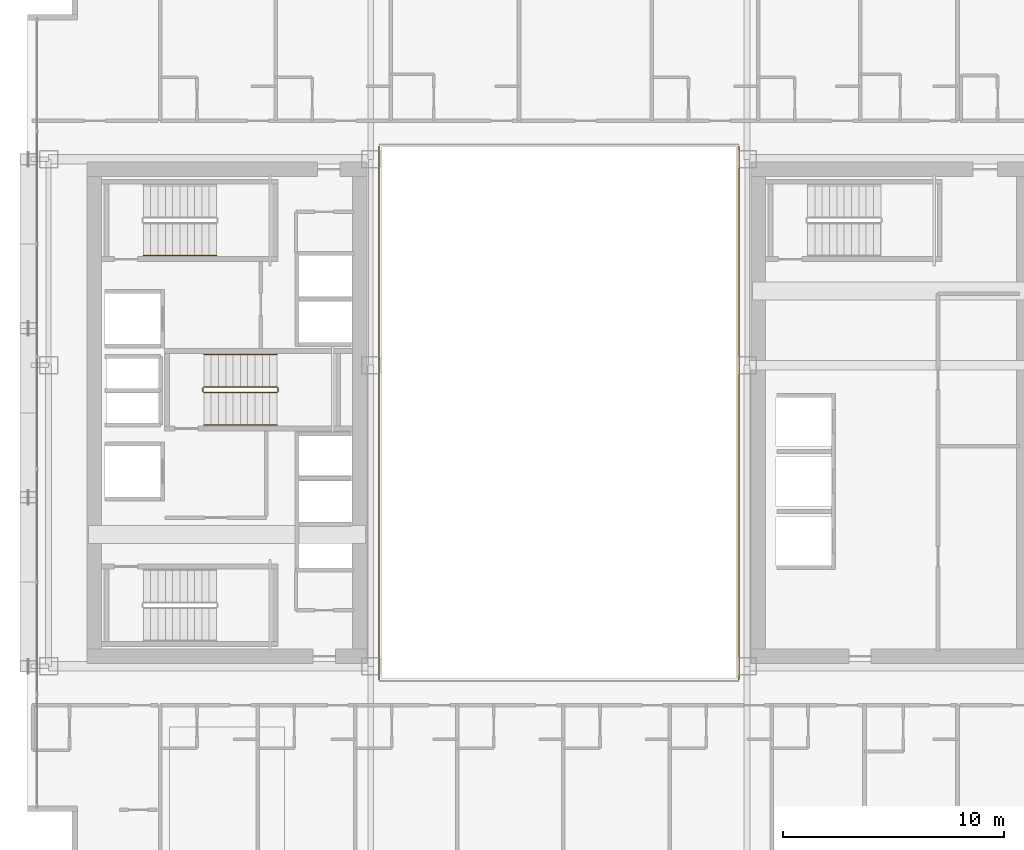
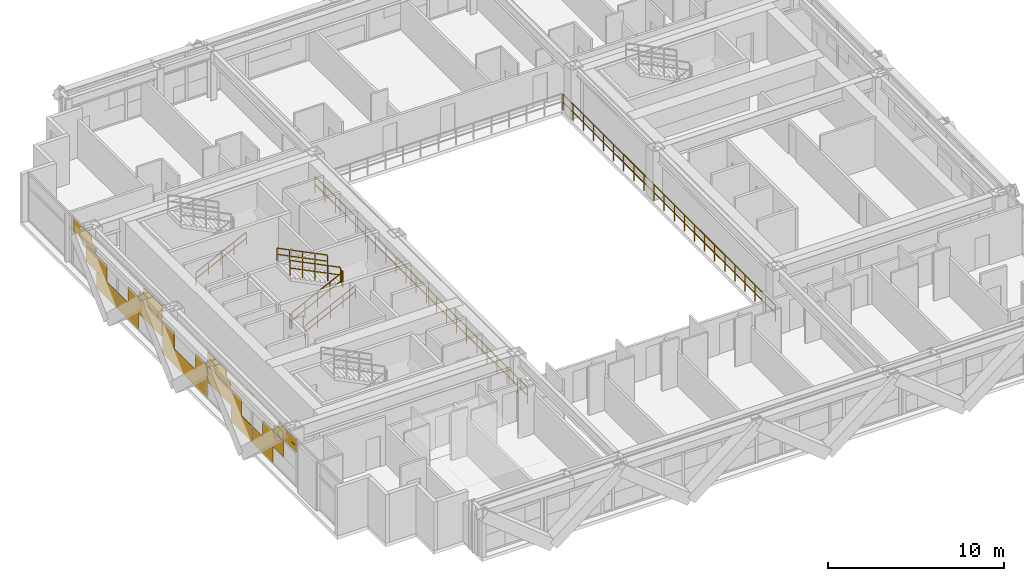
# One storey, part 33 of 35: 9 railings, 1 covering.
"""IFC4 building model written with IfcOpenShell, lengths in metres."""

from ifc_helpers import new_model, si_unit, direction, frame, origin, origin_2d, place, context, subcontext, project, spatial, rectangle, extrude, material, layer, layer_set, type_object, element, save


model = new_model("IFC4")

# Units and contexts
model_context = context("Model", 3, precision=1e-05, world=origin(), true_north=direction((0.0, 1.0)))
body_context = subcontext(model_context, "Body", "Model", "MODEL_VIEW")
ifc_project = project(units=[si_unit("LENGTHUNIT", "METRE"), si_unit("AREAUNIT", "SQUARE_METRE"), si_unit("VOLUMEUNIT", "CUBIC_METRE"), si_unit("PLANEANGLEUNIT", "RADIAN"), si_unit("MASSUNIT", "GRAM", prefix="KILO")], contexts=[model_context])

# Site, building, storey
site_placement = place(None, origin())
site = spatial("IfcSite", under=ifc_project, at=site_placement, CompositionType="ELEMENT")
building_placement = place(site_placement, origin())
building = spatial("IfcBuilding", under=site, at=building_placement, Name="Ocotamira Hotel", CompositionType="ELEMENT")
storey_placement = place(building_placement, frame((0.0, 0.0, 100.800048828125)))
storey = spatial("IfcBuildingStorey", under=building, at=storey_placement, Name="L24", CompositionType="ELEMENT", Elevation=100.800048828125)

# Covering
ifc_material_1 = material(Name="Insulated pale-metal aluminium spandrel panel", Category="aluminium")
ifc_layer = layer(ifc_material_1, 0.044921875)
ifc_layer_set = layer_set([ifc_layer], Name="Insulated pale-metal aluminium spandrel panel")
covering_type = type_object("IfcCoveringType", Name="COV-INFILL-45", PredefinedType="CLADDING", material=ifc_layer_set)
covering_placement = place(storey_placement, origin())
element("IfcCovering", 1, at=covering_placement, inside=storey, type_object=covering_type, Name="L24 Curtain Wall Infill CW-3 CW-L24-W", PredefinedType="CLADDING", context=body_context, shape_type="SweptSolid", body=[
    extrude(rectangle(XDim=2.35107421875, YDim=0.044921875, at=origin_2d()), frame((8.419921875, 15.988525390625, 1.194091796875), z_axis=(0.0, 0.0, 1.0), x_axis=(0.0, 1.0, 0.0)), (0.0, 0.0, 1.0), 1.11767578125),
    extrude(rectangle(XDim=2.331787109375, YDim=0.044921875, at=origin_2d()), frame((8.419921875, 17.1650390625, 0.0751953125), z_axis=(0.0, 0.0, 1.0), x_axis=(0.0, 1.0, 0.0)), (0.0, 0.0, 1.0), 1.117919921875),
    extrude(rectangle(XDim=2.572265625, YDim=0.044921875, at=origin_2d()), frame((8.419921875, 14.6123046875, 2.38818359375), z_axis=(0.0, 0.0, 1.0), x_axis=(0.0, 1.0, 0.0)), (0.0, 0.0, 1.0), 0.413330078125),
    extrude(rectangle(XDim=5.004638671875, YDim=0.044921875, at=origin_2d()), frame((8.419921875, 15.82861328125, 2.80224609375), z_axis=(0.0, 0.0, 1.0), x_axis=(0.0, 1.0, 0.0)), (0.0, 0.0, 1.0), 0.033203125),
    extrude(rectangle(XDim=2.096435546875, YDim=0.044921875, at=origin_2d()), frame((8.419921875, 14.37451171875, 2.836669921875), z_axis=(0.0, 0.0, 1.0), x_axis=(0.0, 1.0, 0.0)), (0.0, 0.0, 1.0), 0.44775390625),
    extrude(rectangle(XDim=2.322265625, YDim=0.044921875, at=origin_2d()), frame((8.419921875, 19.572998046875, 0.0751953125), z_axis=(0.0, 0.0, 1.0), x_axis=(0.0, 1.0, 0.0)), (0.0, 0.0, 1.0), 1.117919921875),
    extrude(rectangle(XDim=3.847412109375, YDim=0.044921875, at=origin_2d()), frame((8.419921875, 21.492919921875, 1.194091796875), z_axis=(0.0, 0.0, 1.0), x_axis=(0.0, 1.0, 0.0)), (0.0, 0.0, 1.0), 1.11767578125),
    extrude(rectangle(XDim=5.004638671875, YDim=0.044921875, at=origin_2d()), frame((8.419921875, 20.914306640625, 2.80224609375), z_axis=(0.0, 0.0, 1.0), x_axis=(0.0, 1.0, 0.0)), (0.0, 0.0, 1.0), 0.033203125),
    extrude(rectangle(XDim=2.581787109375, YDim=0.044921875, at=origin_2d()), frame((8.419921875, 22.125732421875, 2.38818359375), z_axis=(0.0, 0.0, 1.0), x_axis=(0.0, 1.0, 0.0)), (0.0, 0.0, 1.0), 0.413330078125),
    extrude(rectangle(XDim=2.106201171875, YDim=0.044921875, at=origin_2d()), frame((8.419921875, 22.363525390625, 2.836669921875), z_axis=(0.0, 0.0, 1.0), x_axis=(0.0, 1.0, 0.0)), (0.0, 0.0, 1.0), 0.44775390625),
    extrude(rectangle(XDim=5.004638671875, YDim=0.044921875, at=origin_2d()), frame((8.419921875, 26.0, 0.0751953125), z_axis=(0.0, 0.0, 1.0), x_axis=(0.0, 1.0, 0.0)), (0.0, 0.0, 1.0), 1.117919921875),
    extrude(rectangle(XDim=1.2998046875, YDim=0.044921875, at=origin_2d()), frame((8.419921875, 24.1474609375, 1.194091796875), z_axis=(0.0, 0.0, 1.0), x_axis=(0.0, 1.0, 0.0)), (0.0, 0.0, 1.0), 1.11767578125),
    extrude(rectangle(XDim=1.2998046875, YDim=0.044921875, at=origin_2d()), frame((8.419921875, 27.8525390625, 1.194091796875), z_axis=(0.0, 0.0, 1.0), x_axis=(0.0, 1.0, 0.0)), (0.0, 0.0, 1.0), 1.11767578125),
    extrude(rectangle(XDim=3.847412109375, YDim=0.044921875, at=origin_2d()), frame((8.419921875, 30.507080078125, 1.194091796875), z_axis=(0.0, 0.0, 1.0), x_axis=(0.0, 1.0, 0.0)), (0.0, 0.0, 1.0), 1.11767578125),
    extrude(rectangle(XDim=2.322265625, YDim=0.044921875, at=origin_2d()), frame((8.419921875, 32.427001953125, 0.0751953125), z_axis=(0.0, 0.0, 1.0), x_axis=(0.0, 1.0, 0.0)), (0.0, 0.0, 1.0), 1.117919921875),
    extrude(rectangle(XDim=2.581787109375, YDim=0.044921875, at=origin_2d()), frame((8.419921875, 29.874267578125, 2.38818359375), z_axis=(0.0, 0.0, 1.0), x_axis=(0.0, 1.0, 0.0)), (0.0, 0.0, 1.0), 0.413330078125),
    extrude(rectangle(XDim=5.004638671875, YDim=0.044921875, at=origin_2d()), frame((8.419921875, 31.085693359375, 2.80224609375), z_axis=(0.0, 0.0, 1.0), x_axis=(0.0, 1.0, 0.0)), (0.0, 0.0, 1.0), 0.033203125),
    extrude(rectangle(XDim=2.106201171875, YDim=0.044921875, at=origin_2d()), frame((8.419921875, 29.636474609375, 2.836669921875), z_axis=(0.0, 0.0, 1.0), x_axis=(0.0, 1.0, 0.0)), (0.0, 0.0, 1.0), 0.44775390625),
    extrude(rectangle(XDim=2.331787109375, YDim=0.044921875, at=origin_2d()), frame((8.419921875, 34.8349609375, 0.0751953125), z_axis=(0.0, 0.0, 1.0), x_axis=(0.0, 1.0, 0.0)), (0.0, 0.0, 1.0), 1.117919921875),
    extrude(rectangle(XDim=2.35107421875, YDim=0.044921875, at=origin_2d()), frame((8.419921875, 36.011474609375, 1.194091796875), z_axis=(0.0, 0.0, 1.0), x_axis=(0.0, 1.0, 0.0)), (0.0, 0.0, 1.0), 1.11767578125),
    extrude(rectangle(XDim=5.004638671875, YDim=0.044921875, at=origin_2d()), frame((8.419921875, 36.17138671875, 2.80224609375), z_axis=(0.0, 0.0, 1.0), x_axis=(0.0, 1.0, 0.0)), (0.0, 0.0, 1.0), 0.033203125),
    extrude(rectangle(XDim=2.572265625, YDim=0.044921875, at=origin_2d()), frame((8.419921875, 37.3876953125, 2.38818359375), z_axis=(0.0, 0.0, 1.0), x_axis=(0.0, 1.0, 0.0)), (0.0, 0.0, 1.0), 0.413330078125),
    extrude(rectangle(XDim=2.096435546875, YDim=0.044921875, at=origin_2d()), frame((8.419921875, 37.62548828125, 2.836669921875), z_axis=(0.0, 0.0, 1.0), x_axis=(0.0, 1.0, 0.0)), (0.0, 0.0, 1.0), 0.44775390625),
])

# Railings
ifc_material_2 = material(Name="Painted steel stair guardrail", Category="steel")
railing_type_1 = type_object("IfcRailingType", Name="RL-EDGE-1150", PredefinedType="GUARDRAIL", material=ifc_material_2)
railing_1_placement = place(storey_placement, frame((40.1201171875, 13.9599609375, 0.0)))
element("IfcRailing", 2, at=railing_1_placement, inside=storey, type_object=railing_type_1, Name="L24 Central Atrium Edge Guardrail E", PredefinedType="GUARDRAIL", context=body_context, shape_type="SweptSolid", body=[
    extrude(rectangle(XDim=0.048095703125, YDim=0.048095703125, at=origin_2d()), frame((0.0, 0.0, 1.1259765625), z_axis=(0.0, 1.0, 0.0), x_axis=(-1.0, 0.0, 0.0)), (0.0, 0.0, 1.0), 24.080078125),
    extrude(rectangle(XDim=0.048095703125, YDim=0.048095703125, at=origin_2d()), frame((0.0, 0.0, 0.574951171875), z_axis=(0.0, 1.0, 0.0), x_axis=(-1.0, 0.0, 0.0)), (0.0, 0.0, 1.0), 24.080078125),
    extrude(rectangle(XDim=0.0419921875, YDim=0.0419921875, at=origin_2d()), origin(), (0.0, 0.0, 1.0), 1.101806640625),
    extrude(rectangle(XDim=0.0419921875, YDim=0.0419921875, at=origin_2d()), frame((0.0, 1.146728515625, 0.0)), (0.0, 0.0, 1.0), 1.101806640625),
    extrude(rectangle(XDim=0.0419921875, YDim=0.0419921875, at=origin_2d()), frame((0.0, 2.29345703125, 0.0)), (0.0, 0.0, 1.0), 1.101806640625),
    extrude(rectangle(XDim=0.0419921875, YDim=0.0419921875, at=origin_2d()), frame((0.0, 3.43994140625, 0.0)), (0.0, 0.0, 1.0), 1.101806640625),
    extrude(rectangle(XDim=0.0419921875, YDim=0.0419921875, at=origin_2d()), frame((0.0, 4.586669921875, 0.0)), (0.0, 0.0, 1.0), 1.101806640625),
    extrude(rectangle(XDim=0.0419921875, YDim=0.0419921875, at=origin_2d()), frame((0.0, 5.7333984375, 0.0)), (0.0, 0.0, 1.0), 1.101806640625),
    extrude(rectangle(XDim=0.0419921875, YDim=0.0419921875, at=origin_2d()), frame((0.0, 6.880126953125, 0.0)), (0.0, 0.0, 1.0), 1.101806640625),
    extrude(rectangle(XDim=0.0419921875, YDim=0.0419921875, at=origin_2d()), frame((0.0, 8.026611328125, 0.0)), (0.0, 0.0, 1.0), 1.101806640625),
    extrude(rectangle(XDim=0.0419921875, YDim=0.0419921875, at=origin_2d()), frame((0.0, 9.17333984375, 0.0)), (0.0, 0.0, 1.0), 1.101806640625),
    extrude(rectangle(XDim=0.0419921875, YDim=0.0419921875, at=origin_2d()), frame((0.0, 10.320068359375, 0.0)), (0.0, 0.0, 1.0), 1.101806640625),
    extrude(rectangle(XDim=0.0419921875, YDim=0.0419921875, at=origin_2d()), frame((0.0, 11.466796875, 0.0)), (0.0, 0.0, 1.0), 1.101806640625),
    extrude(rectangle(XDim=0.0419921875, YDim=0.0419921875, at=origin_2d()), frame((0.0, 12.61328125, 0.0)), (0.0, 0.0, 1.0), 1.101806640625),
    extrude(rectangle(XDim=0.0419921875, YDim=0.0419921875, at=origin_2d()), frame((0.0, 13.760009765625, 0.0)), (0.0, 0.0, 1.0), 1.101806640625),
    extrude(rectangle(XDim=0.0419921875, YDim=0.0419921875, at=origin_2d()), frame((0.0, 14.90673828125, 0.0)), (0.0, 0.0, 1.0), 1.101806640625),
    extrude(rectangle(XDim=0.0419921875, YDim=0.0419921875, at=origin_2d()), frame((0.0, 16.053466796875, 0.0)), (0.0, 0.0, 1.0), 1.101806640625),
    extrude(rectangle(XDim=0.0419921875, YDim=0.0419921875, at=origin_2d()), frame((0.0, 17.199951171875, 0.0)), (0.0, 0.0, 1.0), 1.101806640625),
    extrude(rectangle(XDim=0.0419921875, YDim=0.0419921875, at=origin_2d()), frame((0.0, 18.3466796875, 0.0)), (0.0, 0.0, 1.0), 1.101806640625),
    extrude(rectangle(XDim=0.0419921875, YDim=0.0419921875, at=origin_2d()), frame((0.0, 19.493408203125, 0.0)), (0.0, 0.0, 1.0), 1.101806640625),
    extrude(rectangle(XDim=0.0419921875, YDim=0.0419921875, at=origin_2d()), frame((0.0, 20.64013671875, 0.0)), (0.0, 0.0, 1.0), 1.101806640625),
    extrude(rectangle(XDim=0.0419921875, YDim=0.0419921875, at=origin_2d()), frame((0.0, 21.78662109375, 0.0)), (0.0, 0.0, 1.0), 1.101806640625),
    extrude(rectangle(XDim=0.0419921875, YDim=0.0419921875, at=origin_2d()), frame((0.0, 22.933349609375, 0.0)), (0.0, 0.0, 1.0), 1.101806640625),
    extrude(rectangle(XDim=0.0419921875, YDim=0.0419921875, at=origin_2d()), frame((0.0, 24.080078125, 0.0)), (0.0, 0.0, 1.0), 1.101806640625),
])
railing_2_placement = place(storey_placement, frame((23.8798828125, 38.0400390625, 0.0)))
element("IfcRailing", 3, at=railing_2_placement, inside=storey, type_object=railing_type_1, Name="L24 Central Atrium Edge Guardrail W", PredefinedType="GUARDRAIL", context=body_context, shape_type="SweptSolid", body=[
    extrude(rectangle(XDim=0.048095703125, YDim=0.048095703125, at=origin_2d()), frame((0.0, 0.0, 1.1259765625), z_axis=(0.0, -1.0, 0.0), x_axis=(1.0, 0.0, 0.0)), (0.0, 0.0, 1.0), 24.080078125),
    extrude(rectangle(XDim=0.048095703125, YDim=0.048095703125, at=origin_2d()), frame((0.0, 0.0, 0.574951171875), z_axis=(0.0, -1.0, 0.0), x_axis=(1.0, 0.0, 0.0)), (0.0, 0.0, 1.0), 24.080078125),
    extrude(rectangle(XDim=0.0419921875, YDim=0.0419921875, at=origin_2d()), origin(), (0.0, 0.0, 1.0), 1.101806640625),
    extrude(rectangle(XDim=0.0419921875, YDim=0.0419921875, at=origin_2d()), frame((0.0, -1.146728515625, 0.0)), (0.0, 0.0, 1.0), 1.101806640625),
    extrude(rectangle(XDim=0.0419921875, YDim=0.0419921875, at=origin_2d()), frame((0.0, -2.29345703125, 0.0)), (0.0, 0.0, 1.0), 1.101806640625),
    extrude(rectangle(XDim=0.0419921875, YDim=0.0419921875, at=origin_2d()), frame((0.0, -3.43994140625, 0.0)), (0.0, 0.0, 1.0), 1.101806640625),
    extrude(rectangle(XDim=0.0419921875, YDim=0.0419921875, at=origin_2d()), frame((0.0, -4.586669921875, 0.0)), (0.0, 0.0, 1.0), 1.101806640625),
    extrude(rectangle(XDim=0.0419921875, YDim=0.0419921875, at=origin_2d()), frame((0.0, -5.7333984375, 0.0)), (0.0, 0.0, 1.0), 1.101806640625),
    extrude(rectangle(XDim=0.0419921875, YDim=0.0419921875, at=origin_2d()), frame((0.0, -6.880126953125, 0.0)), (0.0, 0.0, 1.0), 1.101806640625),
    extrude(rectangle(XDim=0.0419921875, YDim=0.0419921875, at=origin_2d()), frame((0.0, -8.026611328125, 0.0)), (0.0, 0.0, 1.0), 1.101806640625),
    extrude(rectangle(XDim=0.0419921875, YDim=0.0419921875, at=origin_2d()), frame((0.0, -9.17333984375, 0.0)), (0.0, 0.0, 1.0), 1.101806640625),
    extrude(rectangle(XDim=0.0419921875, YDim=0.0419921875, at=origin_2d()), frame((0.0, -10.320068359375, 0.0)), (0.0, 0.0, 1.0), 1.101806640625),
    extrude(rectangle(XDim=0.0419921875, YDim=0.0419921875, at=origin_2d()), frame((0.0, -11.466796875, 0.0)), (0.0, 0.0, 1.0), 1.101806640625),
    extrude(rectangle(XDim=0.0419921875, YDim=0.0419921875, at=origin_2d()), frame((0.0, -12.61328125, 0.0)), (0.0, 0.0, 1.0), 1.101806640625),
    extrude(rectangle(XDim=0.0419921875, YDim=0.0419921875, at=origin_2d()), frame((0.0, -13.760009765625, 0.0)), (0.0, 0.0, 1.0), 1.101806640625),
    extrude(rectangle(XDim=0.0419921875, YDim=0.0419921875, at=origin_2d()), frame((0.0, -14.90673828125, 0.0)), (0.0, 0.0, 1.0), 1.101806640625),
    extrude(rectangle(XDim=0.0419921875, YDim=0.0419921875, at=origin_2d()), frame((0.0, -16.053466796875, 0.0)), (0.0, 0.0, 1.0), 1.101806640625),
    extrude(rectangle(XDim=0.0419921875, YDim=0.0419921875, at=origin_2d()), frame((0.0, -17.199951171875, 0.0)), (0.0, 0.0, 1.0), 1.101806640625),
    extrude(rectangle(XDim=0.0419921875, YDim=0.0419921875, at=origin_2d()), frame((0.0, -18.3466796875, 0.0)), (0.0, 0.0, 1.0), 1.101806640625),
    extrude(rectangle(XDim=0.0419921875, YDim=0.0419921875, at=origin_2d()), frame((0.0, -19.493408203125, 0.0)), (0.0, 0.0, 1.0), 1.101806640625),
    extrude(rectangle(XDim=0.0419921875, YDim=0.0419921875, at=origin_2d()), frame((0.0, -20.64013671875, 0.0)), (0.0, 0.0, 1.0), 1.101806640625),
    extrude(rectangle(XDim=0.0419921875, YDim=0.0419921875, at=origin_2d()), frame((0.0, -21.78662109375, 0.0)), (0.0, 0.0, 1.0), 1.101806640625),
    extrude(rectangle(XDim=0.0419921875, YDim=0.0419921875, at=origin_2d()), frame((0.0, -22.933349609375, 0.0)), (0.0, 0.0, 1.0), 1.101806640625),
    extrude(rectangle(XDim=0.0419921875, YDim=0.0419921875, at=origin_2d()), frame((0.0, -24.080078125, 0.0)), (0.0, 0.0, 1.0), 1.101806640625),
])
ifc_material_3 = material(Name="Brushed stainless steel handrail", Category="steel")
railing_type_2 = type_object("IfcRailingType", Name="RL-HAND-900", PredefinedType="HANDRAIL", material=ifc_material_3)
for number, where, name in (
    (4, (13.22998046875, 33.10009765625, 0.3271484375), "L24 ST-2 stair handrail 1"),
    (5, (15.9599609375, 25.449951171875, 0.3271484375), "L24 ST-3 stair handrail 1"),
):
    element("IfcRailing", number, at=place(storey_placement, frame(where)), inside=storey, type_object=railing_type_2, Name=name, PredefinedType="HANDRAIL", context=body_context, shape_type="SweptSolid", body=[
        extrude(rectangle(XDim=0.048095703125, YDim=0.048095703125, at=origin_2d()), frame((0.0, 0.0, 0.8759765625), z_axis=(0.895893744519, 0.0, 0.4442683857), x_axis=(0.0, 1.0, 0.0)), (0.0, 0.0, 1.0), 3.68359375),
        extrude(rectangle(XDim=0.048095703125, YDim=0.048095703125, at=origin_2d()), frame((0.0, 0.0, 0.449951171875), z_axis=(0.895893744519, 0.0, 0.4442683857), x_axis=(0.0, 1.0, 0.0)), (0.0, 0.0, 1.0), 3.68359375),
        extrude(rectangle(XDim=0.0419921875, YDim=0.0419921875, at=origin_2d()), origin(), (0.0, 0.0, 1.0), 0.851806640625),
        extrude(rectangle(XDim=0.0419921875, YDim=0.0419921875, at=origin_2d()), frame((0.824951171875, 0.0, 0.4091796875)), (0.0, 0.0, 1.0), 0.851806640625),
        extrude(rectangle(XDim=0.0419921875, YDim=0.0419921875, at=origin_2d()), frame((1.64990234375, 0.0, 0.818359375)), (0.0, 0.0, 1.0), 0.851806640625),
        extrude(rectangle(XDim=0.0419921875, YDim=0.0419921875, at=origin_2d()), frame((2.47509765625, 0.0, 1.227294921875)), (0.0, 0.0, 1.0), 0.851806640625),
        extrude(rectangle(XDim=0.0419921875, YDim=0.0419921875, at=origin_2d()), frame((3.300048828125, 0.0, 1.636474609375)), (0.0, 0.0, 1.0), 0.851806640625),
    ])
railing_3_placement = place(storey_placement, frame((19.260009765625, 28.6298828125, 2.127197265625)))
element("IfcRailing", 6, at=railing_3_placement, inside=storey, type_object=railing_type_2, Name="L24 ST-3 stair handrail 2", PredefinedType="HANDRAIL", context=body_context, shape_type="SweptSolid", body=[
    extrude(rectangle(XDim=0.048095703125, YDim=0.048095703125, at=origin_2d()), frame((0.0, 0.0, 0.8759765625), z_axis=(-0.895893744519, 0.0, 0.4442683857), x_axis=(0.0, -1.0, 0.0)), (0.0, 0.0, 1.0), 3.68359375),
    extrude(rectangle(XDim=0.048095703125, YDim=0.048095703125, at=origin_2d()), frame((0.0, 0.0, 0.449951171875), z_axis=(-0.895893744519, 0.0, 0.4442683857), x_axis=(0.0, -1.0, 0.0)), (0.0, 0.0, 1.0), 3.68359375),
    extrude(rectangle(XDim=0.0419921875, YDim=0.0419921875, at=origin_2d()), origin(), (0.0, 0.0, 1.0), 0.851806640625),
    extrude(rectangle(XDim=0.0419921875, YDim=0.0419921875, at=origin_2d()), frame((-0.824951171875, 0.0, 0.4091796875)), (0.0, 0.0, 1.0), 0.851806640625),
    extrude(rectangle(XDim=0.0419921875, YDim=0.0419921875, at=origin_2d()), frame((-1.64990234375, 0.0, 0.818359375)), (0.0, 0.0, 1.0), 0.851806640625),
    extrude(rectangle(XDim=0.0419921875, YDim=0.0419921875, at=origin_2d()), frame((-2.47509765625, 0.0, 1.227294921875)), (0.0, 0.0, 1.0), 0.851806640625),
    extrude(rectangle(XDim=0.0419921875, YDim=0.0419921875, at=origin_2d()), frame((-3.300048828125, 0.0, 1.636474609375)), (0.0, 0.0, 1.0), 0.851806640625),
])
railing_type_3 = type_object("IfcRailingType", Name="RL-STAIR-1100", PredefinedType="GUARDRAIL", material=ifc_material_2)
railing_4_placement = place(storey_placement, frame((15.9599609375, 26.909912109375, 0.16357421875)))
element("IfcRailing", 7, at=railing_4_placement, inside=storey, type_object=railing_type_3, Name="L24 ST-3 stair guard 1", PredefinedType="GUARDRAIL", context=body_context, shape_type="SweptSolid", body=[
    extrude(rectangle(XDim=0.048095703125, YDim=0.048095703125, at=origin_2d()), frame((0.0, 0.0, 1.076171875), z_axis=(0.895893744519, 0.0, 0.4442683857), x_axis=(0.0, 1.0, 0.0)), (0.0, 0.0, 1.0), 3.68359375),
    extrude(rectangle(XDim=0.048095703125, YDim=0.048095703125, at=origin_2d()), frame((0.0, 0.0, 0.550048828125), z_axis=(0.895893744519, 0.0, 0.4442683857), x_axis=(0.0, 1.0, 0.0)), (0.0, 0.0, 1.0), 3.68359375),
    extrude(rectangle(XDim=0.0419921875, YDim=0.0419921875, at=origin_2d()), origin(), (0.0, 0.0, 1.0), 1.052001953125),
    extrude(rectangle(XDim=0.0419921875, YDim=0.0419921875, at=origin_2d()), frame((0.824951171875, 0.0, 0.4091796875)), (0.0, 0.0, 1.0), 1.052001953125),
    extrude(rectangle(XDim=0.0419921875, YDim=0.0419921875, at=origin_2d()), frame((1.64990234375, 0.0, 0.818359375)), (0.0, 0.0, 1.0), 1.052001953125),
    extrude(rectangle(XDim=0.0419921875, YDim=0.0419921875, at=origin_2d()), frame((2.47509765625, 0.0, 1.227294921875)), (0.0, 0.0, 1.0), 1.052001953125),
    extrude(rectangle(XDim=0.0419921875, YDim=0.0419921875, at=origin_2d()), frame((3.300048828125, 0.0, 1.636474609375)), (0.0, 0.0, 1.0), 1.052001953125),
])
railing_5_placement = place(storey_placement, frame((19.31005859375, 26.9599609375, 1.800048828125)))
element("IfcRailing", 8, at=railing_5_placement, inside=storey, type_object=railing_type_3, Name="L24 ST-3 stair guard 2", PredefinedType="GUARDRAIL", context=body_context, shape_type="SweptSolid", body=[
    extrude(rectangle(XDim=0.048095703125, YDim=0.048095703125, at=origin_2d()), frame((0.0, 0.0, 1.076171875), z_axis=(0.0, 1.0, 0.0), x_axis=(-1.0, 0.0, 0.0)), (0.0, 0.0, 1.0), 0.16015625),
    extrude(rectangle(XDim=0.048095703125, YDim=0.048095703125, at=origin_2d()), frame((0.0, 0.0, 0.550048828125), z_axis=(0.0, 1.0, 0.0), x_axis=(-1.0, 0.0, 0.0)), (0.0, 0.0, 1.0), 0.16015625),
    extrude(rectangle(XDim=0.0419921875, YDim=0.0419921875, at=origin_2d()), origin(), (0.0, 0.0, 1.0), 1.052001953125),
    extrude(rectangle(XDim=0.0419921875, YDim=0.0419921875, at=origin_2d()), frame((0.0, 0.16015625, 0.0)), (0.0, 0.0, 1.0), 1.052001953125),
])
railing_6_placement = place(storey_placement, frame((19.260009765625, 27.169921875, 1.963623046875)))
element("IfcRailing", 9, at=railing_6_placement, inside=storey, type_object=railing_type_3, Name="L24 ST-3 stair guard 3", PredefinedType="GUARDRAIL", context=body_context, shape_type="SweptSolid", body=[
    extrude(rectangle(XDim=0.048095703125, YDim=0.048095703125, at=origin_2d()), frame((0.0, 0.0, 1.076171875), z_axis=(-0.895920123917, 0.0, 0.444215186098), x_axis=(0.0, -1.0, 0.0)), (0.0, 0.0, 1.0), 3.683349609375),
    extrude(rectangle(XDim=0.048095703125, YDim=0.048095703125, at=origin_2d()), frame((0.0, 0.0, 0.550048828125), z_axis=(-0.895920123917, 0.0, 0.444215186098), x_axis=(0.0, -1.0, 0.0)), (0.0, 0.0, 1.0), 3.683349609375),
    extrude(rectangle(XDim=0.0419921875, YDim=0.0419921875, at=origin_2d()), origin(), (0.0, 0.0, 1.0), 1.052001953125),
    extrude(rectangle(XDim=0.0419921875, YDim=0.0419921875, at=origin_2d()), frame((-0.824951171875, 0.0, 0.4091796875)), (0.0, 0.0, 1.0), 1.052001953125),
    extrude(rectangle(XDim=0.0419921875, YDim=0.0419921875, at=origin_2d()), frame((-1.64990234375, 0.0, 0.818115234375)), (0.0, 0.0, 1.0), 1.052001953125),
    extrude(rectangle(XDim=0.0419921875, YDim=0.0419921875, at=origin_2d()), frame((-2.47509765625, 0.0, 1.22705078125)), (0.0, 0.0, 1.0), 1.052001953125),
    extrude(rectangle(XDim=0.0419921875, YDim=0.0419921875, at=origin_2d()), frame((-3.300048828125, 0.0, 1.63623046875)), (0.0, 0.0, 1.0), 1.052001953125),
])
railing_7_placement = place(storey_placement, frame((15.909912109375, 26.9599609375, 0.0)))
element("IfcRailing", 10, at=railing_7_placement, inside=storey, type_object=railing_type_3, Name="L24 ST-3 stair guard 4", PredefinedType="GUARDRAIL", context=body_context, shape_type="SweptSolid", body=[
    extrude(rectangle(XDim=0.048095703125, YDim=0.048095703125, at=origin_2d()), frame((0.0, 0.0, 1.076171875), z_axis=(0.0, 1.0, 0.0), x_axis=(-1.0, 0.0, 0.0)), (0.0, 0.0, 1.0), 0.16015625),
    extrude(rectangle(XDim=0.048095703125, YDim=0.048095703125, at=origin_2d()), frame((0.0, 0.0, 0.550048828125), z_axis=(0.0, 1.0, 0.0), x_axis=(-1.0, 0.0, 0.0)), (0.0, 0.0, 1.0), 0.16015625),
    extrude(rectangle(XDim=0.0419921875, YDim=0.0419921875, at=origin_2d()), origin(), (0.0, 0.0, 1.0), 1.052001953125),
    extrude(rectangle(XDim=0.0419921875, YDim=0.0419921875, at=origin_2d()), frame((0.0, 0.16015625, 0.0)), (0.0, 0.0, 1.0), 1.052001953125),
])

save(model, "model.ifc")
